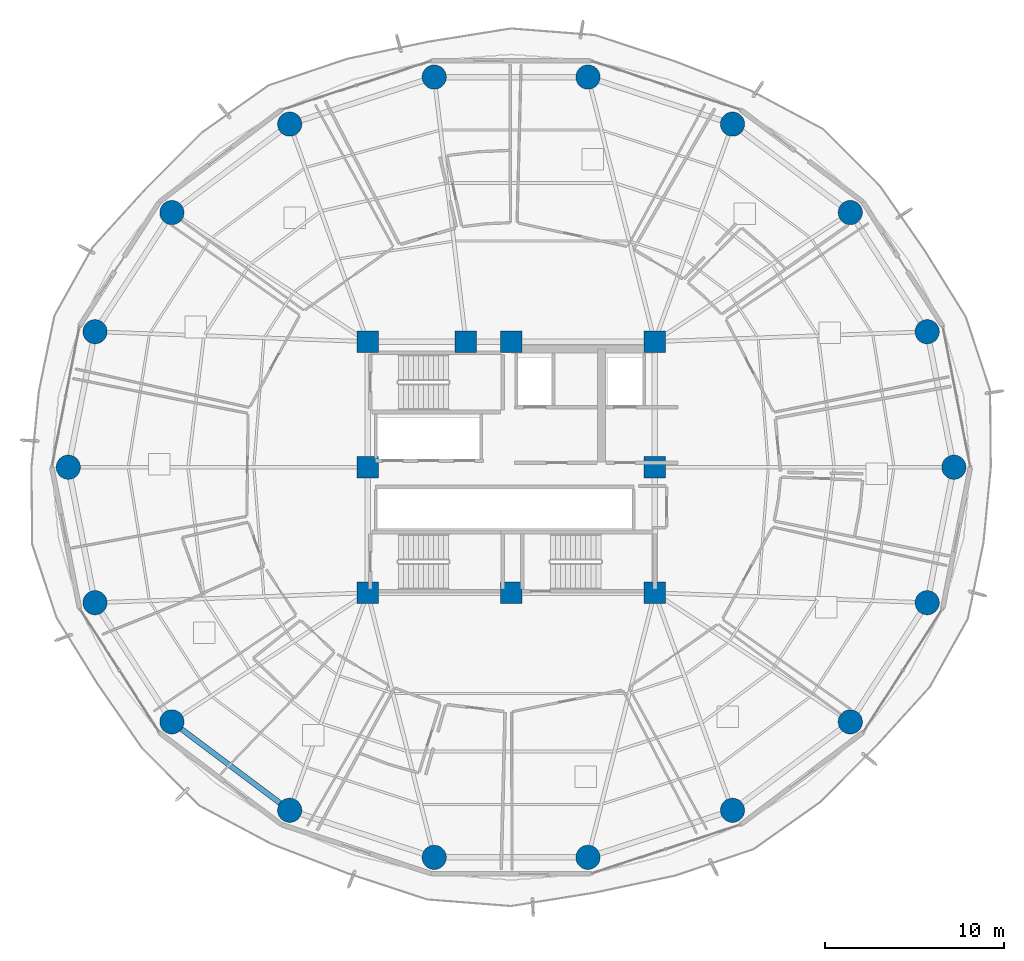
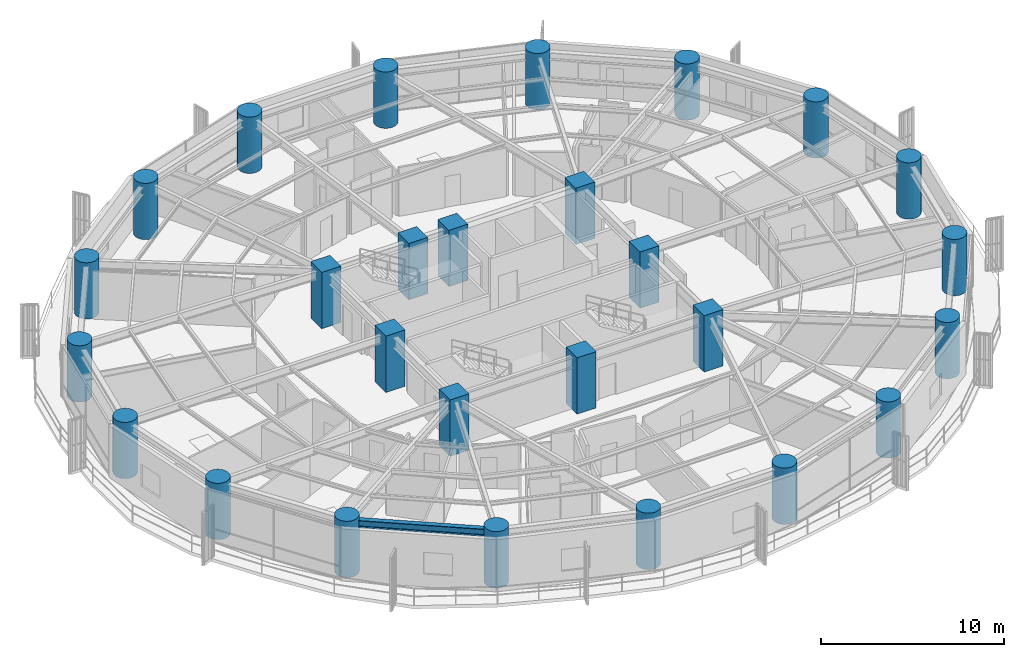
# One storey, part 1 of 35: 27 columns, 1 beam.
"""IFC4 building model written with IfcOpenShell, lengths in metres."""

from ifc_helpers import new_model, si_unit, direction, frame, origin, origin_2d, place, context, subcontext, project, spatial, rectangle, circle, i_section, extrude, material, material_profile, profile_set, type_object, element, save


model = new_model("IFC4")

# Units and contexts
model_context = context("Model", 3, precision=1e-05, world=origin(), true_north=direction((0.0, 1.0)))
body_context = subcontext(model_context, "Body", "Model", "MODEL_VIEW")
ifc_project = project(units=[si_unit("LENGTHUNIT", "METRE"), si_unit("AREAUNIT", "SQUARE_METRE"), si_unit("VOLUMEUNIT", "CUBIC_METRE"), si_unit("PLANEANGLEUNIT", "RADIAN"), si_unit("MASSUNIT", "GRAM", prefix="KILO")], contexts=[model_context])

# Site, building, storey
site_placement = place(None, origin())
site = spatial("IfcSite", under=ifc_project, at=site_placement, CompositionType="ELEMENT")
building_placement = place(site_placement, origin())
building = spatial("IfcBuilding", under=site, at=building_placement, Name="Kelanora Arch Commons", CompositionType="ELEMENT")
storey_placement = place(building_placement, frame((0.0, 0.0, 117.60009765625)))
storey = spatial("IfcBuildingStorey", under=building, at=storey_placement, Name="L30", CompositionType="ELEMENT", Elevation=117.60009765625)

# Columns
ifc_material_1 = material(Name="Concrete C60/75", Category="concrete")
ifc_material_profile_1 = material_profile(ifc_material_1, circle(Radius=0.675048828125, at=origin_2d()), Name="RCC1350")
ifc_profile_set_1 = profile_set([ifc_material_profile_1], Name="Concrete C60/75")
column_type_1 = type_object("IfcColumnType", Name="COL-PERIM-Z2", PredefinedType="COLUMN", material=ifc_profile_set_1)
for number, where, z_axis, x_axis, name in (
    (1, (98.679931640625, 58.0, 0.0), (0.0, 0.0, 1.0), (1.0, 0.0, 0.0), "Perimeter Ring Column CP-00 L30"),
    (2, (97.191650390625, 65.5517578125, 0.0), (0.0, 0.0, 1.0), (1.0, 0.0, 0.0), "Perimeter Ring Column CP-02 L30"),
    (3, (92.906005859375, 72.19287109375, 0.0), (0.0, 0.0, 1.0), (1.0, 0.0, 0.0), "Perimeter Ring Column CP-04 L30"),
    (4, (86.340087890625, 77.121826171875, 0.0), (0.0, 0.0, 1.0), (1.0, 0.0, 0.0), "Perimeter Ring Column CP-06 L30"),
    (5, (78.28564453125, 79.74462890625, 0.0), (0.0, 0.0, 1.0), (1.0, 0.0, 0.0), "Perimeter Ring Column CP-08 L30"),
    (6, (69.71435546875, 79.74462890625, 0.0), (0.0, 0.0, 1.0), (1.0, 0.0, 0.0), "Perimeter Ring Column CP-10 L30"),
    (7, (61.659912109375, 77.121826171875, 0.0), (0.0, 0.0, 1.0), (1.0, 0.0, 0.0), "Perimeter Ring Column CP-12 L30"),
    (8, (55.093994140625, 72.19287109375, 0.0), (0.0, 0.0, 1.0), (1.0, 0.0, 0.0), "Perimeter Ring Column CP-14 L30"),
    (9, (50.808349609375, 65.5517578125, 0.0), (0.0, 0.0, 1.0), (1.0, 0.0, 0.0), "Perimeter Ring Column CP-16 L30"),
    (10, (49.320068359375, 58.0, 0.0), (0.0, 0.0, 1.0), (1.0, 0.0, 0.0), "Perimeter Ring Column CP-18 L30"),
    (11, (50.808349609375, 50.4482421875, 0.0), (0.0, 0.0, 1.0), (1.0, 0.0, 0.0), "Perimeter Ring Column CP-20 L30"),
    (12, (55.093994140625, 43.80712890625, 0.0), (0.0, 0.0, 1.0), (1.0, 0.0, 0.0), "Perimeter Ring Column CP-22 L30"),
    (13, (61.659912109375, 38.878173828125, 0.0), (0.0, 0.0, 1.0), (1.0, 0.0, 0.0), "Perimeter Ring Column CP-24 L30"),
    (14, (69.71435546875, 36.25537109375, 0.0), (0.0, 0.0, 1.0), (1.0, 0.0, 0.0), "Perimeter Ring Column CP-26 L30"),
    (15, (78.28564453125, 36.25537109375, 0.0), (0.0, 0.0, 1.0), (1.0, 0.0, 0.0), "Perimeter Ring Column CP-28 L30"),
    (16, (86.340087890625, 38.878173828125, 0.0), (0.0, 0.0, 1.0), (1.0, 0.0, 0.0), "Perimeter Ring Column CP-30 L30"),
    (17, (92.906005859375, 43.80712890625, 0.0), (0.0, 0.0, 1.0), (1.0, 0.0, 0.0), "Perimeter Ring Column CP-32 L30"),
    (18, (97.191650390625, 50.4482421875, 0.0), (0.0, 0.0, 1.0), (1.0, 0.0, 0.0), "Perimeter Ring Column CP-34 L30"),
):
    element("IfcColumn", number, at=place(storey_placement, frame(where, z_axis=z_axis, x_axis=x_axis)), inside=storey, type_object=column_type_1, Name=name, PredefinedType="COLUMN", context=body_context, shape_type="SweptSolid", body=[
        extrude(circle(Radius=0.675048828125, at=origin_2d()), origin(), (0.0, 0.0, 1.0), 3.75),
    ])
ifc_material_profile_2 = material_profile(ifc_material_1, rectangle(XDim=1.199951171875, YDim=1.199951171875, at=origin_2d()), Name="RC1200x1200")
ifc_profile_set_2 = profile_set([ifc_material_profile_2], Name="Concrete C60/75")
column_type_2 = type_object("IfcColumnType", Name="COL-PIL-MID", PredefinedType="PILASTER", material=ifc_profile_set_2)
for number, where, z_axis, x_axis, name in (
    (19, (66.0, 51.0, 0.0), (0.0, 0.0, 1.0), (1.0, 0.0, 0.0), "Core Pilaster Column CP1 L30"),
    (20, (74.0, 51.0, 0.0), (0.0, 0.0, 1.0), (1.0, 0.0, 0.0), "Core Pilaster Column CP2 L30"),
    (21, (82.0, 51.0, 0.0), (0.0, 0.0, 1.0), (1.0, 0.0, 0.0), "Core Pilaster Column CP3 L30"),
    (22, (82.0, 58.0, 0.0), (0.0, 0.0, 1.0), (1.0, 0.0, 0.0), "Core Pilaster Column CP4 L30"),
    (23, (82.0, 65.0, 0.0), (0.0, 0.0, 1.0), (1.0, 0.0, 0.0), "Core Pilaster Column CP5 L30"),
    (24, (74.0, 65.0, 0.0), (0.0, 0.0, 1.0), (1.0, 0.0, 0.0), "Core Pilaster Column CP6 L30"),
    (25, (71.47998046875, 65.0, 0.0), (0.0, 0.0, 1.0), (1.0, 0.0, 0.0), "Core Pilaster Column CP9 L30"),
    (26, (66.0, 65.0, 0.0), (0.0, 0.0, 1.0), (1.0, 0.0, 0.0), "Core Pilaster Column CP7 L30"),
    (27, (66.0, 58.0, 0.0), (0.0, 0.0, 1.0), (1.0, 0.0, 0.0), "Core Pilaster Column CP8 L30"),
):
    element("IfcColumn", number, at=place(storey_placement, frame(where, z_axis=z_axis, x_axis=x_axis)), inside=storey, type_object=column_type_2, Name=name, PredefinedType="PILASTER", context=body_context, shape_type="SweptSolid", body=[
        extrude(rectangle(XDim=1.199951171875, YDim=1.199951171875, at=origin_2d()), origin(), (0.0, 0.0, 1.0), 3.75),
    ])

# Beam
ifc_material_2 = material(Name="Steel S355", Category="steel")
ifc_material_profile_3 = material_profile(ifc_material_2, i_section(OverallWidth=0.300048828125, OverallDepth=0.5, WebThickness=0.014404296875, FlangeThickness=0.028076171875, FilletRadius=0.027099609375, at=origin_2d()), Name="HEB500")
ifc_profile_set_3 = profile_set([ifc_material_profile_3], Name="Steel S355")
beam_type = type_object("IfcBeamType", Name="BM-SPN-Z2", PredefinedType="SPANDREL", material=ifc_profile_set_3)
beam_placement = place(storey_placement, frame((55.093994140625, 43.80712890625, 3.239990234375), z_axis=(0.799735861602, -0.600352023123, 0.0), x_axis=(0.600352023123, 0.799735861602, 0.0)))
element("IfcBeam", 28, at=beam_placement, inside=storey, type_object=beam_type, Name="Perimeter Spandrel Beam BS-22 L30", PredefinedType="SPANDREL", context=body_context, shape_type="SweptSolid", body=[
    extrude(i_section(OverallWidth=0.300048828125, OverallDepth=0.5, WebThickness=0.014404296875, FlangeThickness=0.028076171875, FilletRadius=0.027099609375, at=origin_2d()), origin(), (0.0, 0.0, 1.0), 8.210205078125),
])

save(model, "model.ifc")
